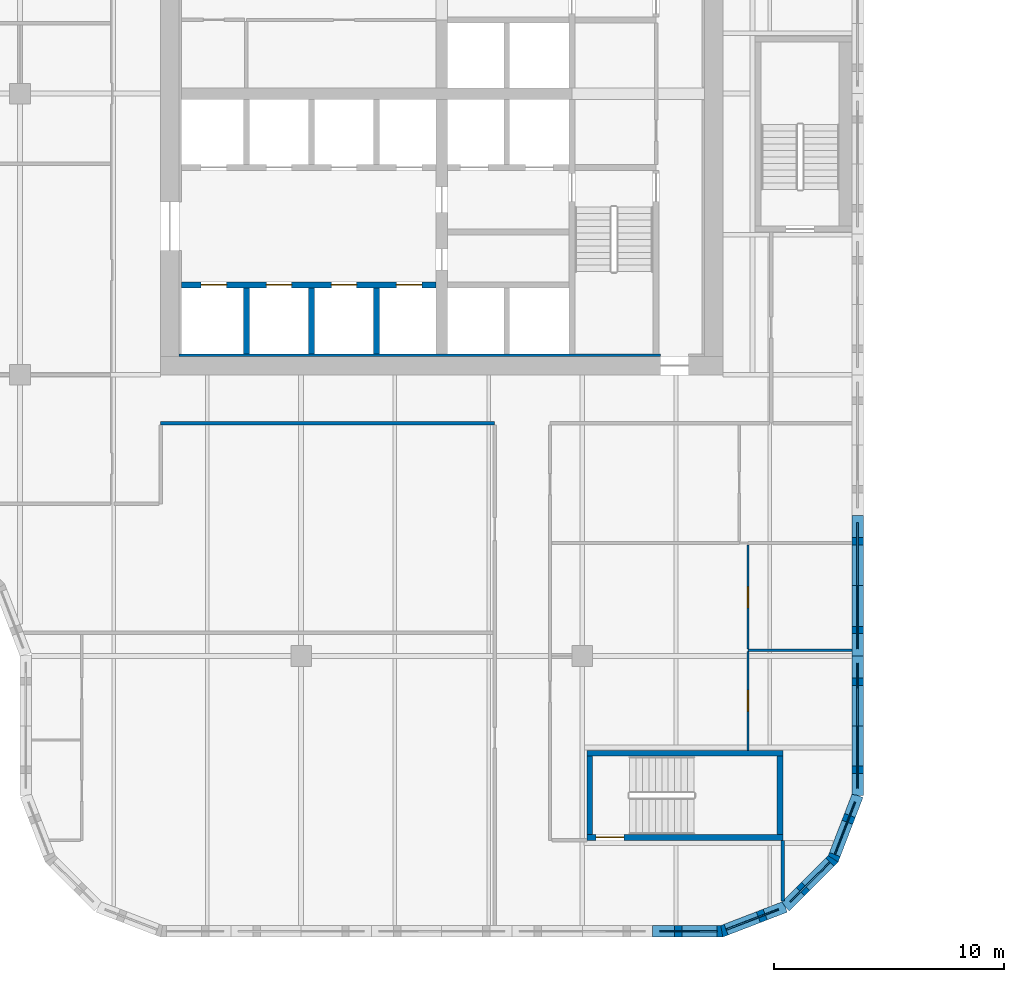
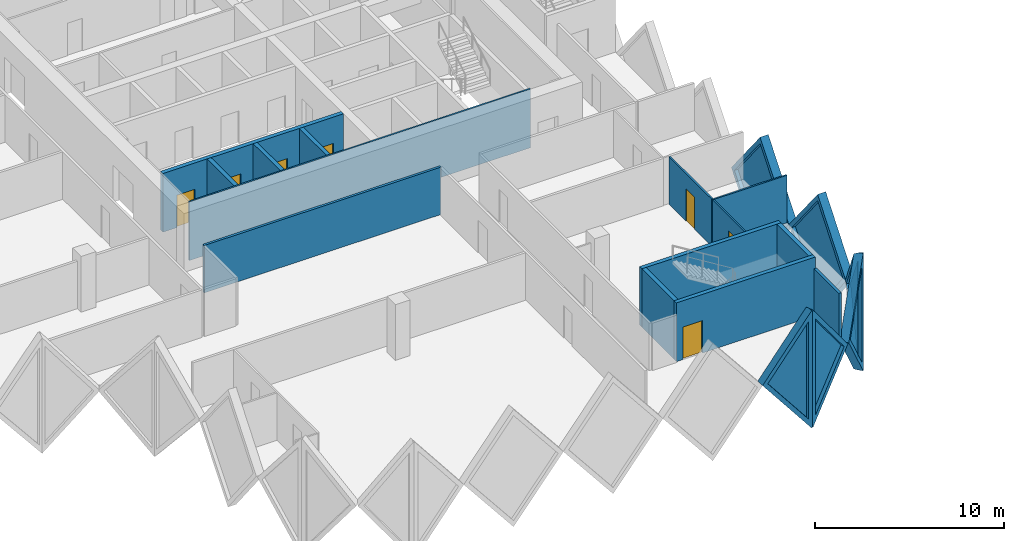
# One storey, part 6 of 19: 20 walls, 7 doors, 6 plates, 13 openings.
"""IFC4 building model written with IfcOpenShell, lengths in metres."""

from ifc_helpers import new_model, si_unit, direction, frame, frame_2d, origin, place, context, subcontext, project, spatial, polyline, rectangle, outline, extrude, faceted_brep, source, transform, mapped, material, layer, layer_set, type_object, element, fill, save


model = new_model("IFC4")

# Units and contexts
model_context = context("Model", 3, precision=1e-05, world=origin(), true_north=direction((0.0, 1.0)))
body_context = subcontext(model_context, "Body", "Model", "MODEL_VIEW")
ifc_project = project(units=[si_unit("LENGTHUNIT", "METRE"), si_unit("AREAUNIT", "SQUARE_METRE"), si_unit("VOLUMEUNIT", "CUBIC_METRE"), si_unit("PLANEANGLEUNIT", "RADIAN"), si_unit("MASSUNIT", "GRAM", prefix="KILO")], contexts=[model_context])

# Site, building, storey
site_placement = place(None, origin())
site = spatial("IfcSite", under=ifc_project, at=site_placement, CompositionType="ELEMENT")
building_placement = place(site_placement, origin())
building = spatial("IfcBuilding", under=site, at=building_placement, Name="Tessera Gate Towers", CompositionType="ELEMENT")
storey_placement = place(building_placement, frame((0.0, 0.0, 76.199951171875)))
storey = spatial("IfcBuildingStorey", under=building, at=storey_placement, Name="L18", CompositionType="ELEMENT", Elevation=76.199951171875)

# Wall, openings, doors
ifc_material_1 = material(Name="Concrete C40/50", Category="concrete")
ifc_layer_1 = layer(ifc_material_1, 0.25)
ifc_layer_set_1 = layer_set([ifc_layer_1], Name="CORE ENCLOSURE WALL 250")
wall_type_1 = type_object("IfcWallType", Name="CORE ENCLOSURE WALL 250", PredefinedType="SOLIDWALL", material=ifc_layer_set_1)
wall_1_placement = place(storey_placement, frame((31.39990234375, 28.300048828125, 0.0), z_axis=(0.0, 0.0, 1.0), x_axis=(1.0, 0.0, 0.0)))
wall_1 = element("IfcWall", 1, at=wall_1_placement, inside=storey, type_object=wall_type_1, Name="L18 shaft and stair enclosure wall", PredefinedType="SOLIDWALL", context=body_context, shape_type="SweptSolid", body=[
    extrude(rectangle(XDim=11.050048828125, YDim=0.25, at=frame_2d((5.52490234375, 0.0))), origin(), (0.0, 0.0, 1.0), 3.800048828125),
])
shared_shape_1 = source(origin(), body_context, "Body", "SweptSolid", [
    extrude(rectangle(XDim=1.10009765625, YDim=2.10009765625, at=frame_2d((0.550048828125, 1.050048828125))), frame((0.0, 0.135009765625, 0.0), z_axis=(0.0, -1.0, 0.0), x_axis=(1.0, 0.0, 0.0)), (0.0, 0.0, 1.0), 0.27001953125),
])
opening_1_placement = place(wall_1_placement, frame((0.862548828125, 0.0, 0.0)))
opening_1 = element("IfcOpeningElement", 2, at=opening_1_placement, cuts=wall_1, Name="Opening LD-LR1", PredefinedType="OPENING", context=body_context, shape_type="MappedRepresentation", body=[
    mapped(shared_shape_1, transform((0.0, 0.0, 0.0), scale=1.0)),
])
opening_2_placement = place(wall_1_placement, frame((3.6875, 0.0, 0.0)))
opening_2 = element("IfcOpeningElement", 3, at=opening_2_placement, cuts=wall_1, Name="Opening LD-LR2", PredefinedType="OPENING", context=body_context, shape_type="MappedRepresentation", body=[
    mapped(shared_shape_1, transform((0.0, 0.0, 0.0), scale=1.0)),
])
opening_3_placement = place(wall_1_placement, frame((6.512451171875, 0.0, 0.0)))
opening_3 = element("IfcOpeningElement", 4, at=opening_3_placement, cuts=wall_1, Name="Opening LD-LR3", PredefinedType="OPENING", context=body_context, shape_type="MappedRepresentation", body=[
    mapped(shared_shape_1, transform((0.0, 0.0, 0.0), scale=1.0)),
])
opening_4_placement = place(wall_1_placement, frame((9.33740234375, 0.0, 0.0)))
opening_4 = element("IfcOpeningElement", 5, at=opening_4_placement, cuts=wall_1, Name="Opening LD-LR4", PredefinedType="OPENING", context=body_context, shape_type="MappedRepresentation", body=[
    mapped(shared_shape_1, transform((0.0, 0.0, 0.0), scale=1.0)),
])
ifc_material_2 = material(Name="Stainless steel", Category="steel")
door_type_1 = type_object("IfcDoorType", Name="CORE DOOR LD 1100x2100", OperationType="DOUBLE_DOOR_SLIDING", PredefinedType="DOOR", material=ifc_material_2)
shared_shape_2 = source(origin(), body_context, "Body", "SweptSolid", [
    extrude(rectangle(XDim=1.10009765625, YDim=2.10009765625, at=frame_2d((0.550048828125, 1.050048828125))), frame((0.0, 0.02490234375, 0.0), z_axis=(0.0, -1.0, 0.0), x_axis=(1.0, 0.0, 0.0)), (0.0, 0.0, 1.0), 0.050048828125),
])
door_1_placement = place(opening_1_placement, origin())
door_1 = element("IfcDoor", 6, at=door_1_placement, inside=storey, type_object=door_type_1, Name="Landing door LR1 L18", OperationType="DOUBLE_DOOR_SLIDING", OverallHeight=2.10009765625, OverallWidth=1.10009765625, PredefinedType="DOOR", context=body_context, shape_type="MappedRepresentation", body=[
    mapped(shared_shape_2, transform((0.0, 0.0, 0.0), scale=1.0)),
])
fill(opening_1, door_1)
door_2_placement = place(opening_2_placement, origin())
door_2 = element("IfcDoor", 7, at=door_2_placement, inside=storey, type_object=door_type_1, Name="Landing door LR2 L18", OperationType="DOUBLE_DOOR_SLIDING", OverallHeight=2.10009765625, OverallWidth=1.10009765625, PredefinedType="DOOR", context=body_context, shape_type="MappedRepresentation", body=[
    mapped(shared_shape_2, transform((0.0, 0.0, 0.0), scale=1.0)),
])
fill(opening_2, door_2)
door_3_placement = place(opening_3_placement, origin())
door_3 = element("IfcDoor", 8, at=door_3_placement, inside=storey, type_object=door_type_1, Name="Landing door LR3 L18", OperationType="DOUBLE_DOOR_SLIDING", OverallHeight=2.10009765625, OverallWidth=1.10009765625, PredefinedType="DOOR", context=body_context, shape_type="MappedRepresentation", body=[
    mapped(shared_shape_2, transform((0.0, 0.0, 0.0), scale=1.0)),
])
fill(opening_3, door_3)
door_4_placement = place(opening_4_placement, origin())
door_4 = element("IfcDoor", 9, at=door_4_placement, inside=storey, type_object=door_type_1, Name="Landing door LR4 L18", OperationType="DOUBLE_DOOR_SLIDING", OverallHeight=2.10009765625, OverallWidth=1.10009765625, PredefinedType="DOOR", context=body_context, shape_type="MappedRepresentation", body=[
    mapped(shared_shape_2, transform((0.0, 0.0, 0.0), scale=1.0)),
])
fill(opening_4, door_4)

# Walls
for number, where, z_axis, x_axis, name in (
    (10, (34.22509765625, 25.300048828125, 0.0), (0.0, 0.0, 1.0), (0.0, 1.0, 0.0), "L18 shaft and stair enclosure wall"),
    (11, (37.050048828125, 25.300048828125, 0.0), (0.0, 0.0, 1.0), (0.0, 1.0, 0.0), "L18 shaft and stair enclosure wall"),
    (12, (39.875, 25.300048828125, 0.0), (0.0, 0.0, 1.0), (0.0, 1.0, 0.0), "L18 shaft and stair enclosure wall"),
):
    element("IfcWall", number, at=place(storey_placement, frame(where, z_axis=z_axis, x_axis=x_axis)), inside=storey, type_object=wall_type_1, Name=name, PredefinedType="SOLIDWALL", context=body_context, shape_type="SweptSolid", body=[
        extrude(rectangle(XDim=2.875, YDim=0.25, at=frame_2d((1.4375, 0.0))), origin(), (0.0, 0.0, 1.0), 3.800048828125),
    ])

# Wall, opening, door
wall_2_placement = place(storey_placement, frame((57.5, 4.324951171875, 0.0), z_axis=(0.0, 0.0, 1.0), x_axis=(-1.0, 0.0, 0.0)))
wall_2 = element("IfcWall", 13, at=wall_2_placement, inside=storey, type_object=wall_type_1, Name="L18 ST4 enclosure wall", PredefinedType="SOLIDWALL", context=body_context, shape_type="SweptSolid", body=[
    extrude(rectangle(XDim=8.5, YDim=0.25, at=frame_2d((4.25, 0.0))), origin(), (0.0, 0.0, 1.0), 3.800048828125),
])
shared_shape_3 = source(origin(), body_context, "Body", "SweptSolid", [
    extrude(rectangle(XDim=1.199951171875, YDim=2.10009765625, at=frame_2d((0.60009765625, 1.050048828125))), frame((0.0, 0.135009765625, 0.0), z_axis=(0.0, -1.0, 0.0), x_axis=(1.0, 0.0, 0.0)), (0.0, 0.0, 1.0), 0.27001953125),
])
opening_5_placement = place(wall_2_placement, frame((6.89990234375, 0.0, 0.0)))
opening_5 = element("IfcOpeningElement", 14, at=opening_5_placement, cuts=wall_2, Name="Opening SD-ST4-1", PredefinedType="OPENING", context=body_context, shape_type="MappedRepresentation", body=[
    mapped(shared_shape_3, transform((0.0, 0.0, 0.0), scale=1.0)),
])
ifc_material_3 = material(Name="Hollow steel fire door", Category="steel")
door_type_2 = type_object("IfcDoorType", Name="CORE DOOR SD 1200x2100", OperationType="NOTDEFINED", PredefinedType="DOOR", material=ifc_material_3)
shared_shape_4 = source(origin(), body_context, "Body", "SweptSolid", [
    extrude(rectangle(XDim=1.199951171875, YDim=2.10009765625, at=frame_2d((0.60009765625, 1.050048828125))), frame((0.0, 0.02490234375, 0.0), z_axis=(0.0, -1.0, 0.0), x_axis=(1.0, 0.0, 0.0)), (0.0, 0.0, 1.0), 0.050048828125),
])
door_5_placement = place(opening_5_placement, origin())
door_5 = element("IfcDoor", 15, at=door_5_placement, inside=storey, type_object=door_type_2, Name="Stair door", OperationType="SINGLE_SWING_RIGHT", OverallHeight=2.10009765625, OverallWidth=1.199951171875, PredefinedType="DOOR", context=body_context, shape_type="MappedRepresentation", body=[
    mapped(shared_shape_4, transform((0.0, 0.0, 0.0), scale=1.0)),
])
fill(opening_5, door_5)

# Walls
wall_3_placement = place(storey_placement, frame((49.125, 4.449951171875, 0.0), z_axis=(0.0, 0.0, 1.0), x_axis=(0.0, 1.0, 0.0)))
element("IfcWall", 16, at=wall_3_placement, inside=storey, type_object=wall_type_1, Name="L18 ST4 enclosure wall", PredefinedType="SOLIDWALL", context=body_context, shape_type="SweptSolid", body=[
    extrude(rectangle(XDim=3.400146484375, YDim=0.25, at=frame_2d((1.7001953125, 0.0))), origin(), (0.0, 0.0, 1.0), 3.800048828125),
])
wall_4_placement = place(storey_placement, frame((49.0, 7.97509765625, 0.0), z_axis=(0.0, 0.0, 1.0), x_axis=(1.0, 0.0, 0.0)))
element("IfcWall", 17, at=wall_4_placement, inside=storey, type_object=wall_type_1, Name="L18 ST4 enclosure wall", PredefinedType="SOLIDWALL", context=body_context, shape_type="SweptSolid", body=[
    extrude(rectangle(XDim=8.5, YDim=0.25, at=frame_2d((4.25, 0.0))), origin(), (0.0, 0.0, 1.0), 3.800048828125),
])
wall_5_placement = place(storey_placement, frame((57.375, 7.85009765625, 0.0), z_axis=(0.0, 0.0, 1.0), x_axis=(0.0, -1.0, 0.0)))
element("IfcWall", 18, at=wall_5_placement, inside=storey, type_object=wall_type_1, Name="L18 ST4 enclosure wall", PredefinedType="SOLIDWALL", context=body_context, shape_type="SweptSolid", body=[
    extrude(rectangle(XDim=3.400146484375, YDim=0.25, at=frame_2d((1.7001953125, 0.0))), origin(), (0.0, 0.0, 1.0), 3.800048828125),
])
ifc_material_4 = material(Name="Concrete C60/75", Category="concrete")
ifc_layer_2 = layer(ifc_material_4, 0.10009765625)
ifc_layer_set_2 = layer_set([ifc_layer_2], Name="CORE WALL THICKENING 100")
wall_type_2 = type_object("IfcWallType", Name="CORE WALL THICKENING 100", PredefinedType="SOLIDWALL", material=ifc_layer_set_2)
wall_6_placement = place(storey_placement, frame((31.300048828125, 25.25, 0.0), z_axis=(0.0, 0.0, 1.0), x_axis=(1.0, 0.0, 0.0)))
element("IfcWall", 19, at=wall_6_placement, inside=storey, type_object=wall_type_2, Name="Core wall thickening S L18", PredefinedType="SOLIDWALL", context=body_context, shape_type="SweptSolid", body=[
    extrude(rectangle(XDim=20.89990234375, YDim=0.10009765625, at=frame_2d((10.449951171875, 0.0))), origin(), (0.0, 0.0, 1.0), 3.800048828125),
])
ifc_material_5 = material(Name="Gypsum board on steel studs, mineral wool", Category="steel")
ifc_layer_3 = layer(ifc_material_5, 0.14990234375)
ifc_layer_set_3 = layer_set([ifc_layer_3], Name="CORRIDOR WALL 150")
wall_type_3 = type_object("IfcWallType", Name="CORRIDOR WALL 150", PredefinedType="PARTITIONING", material=ifc_layer_set_3)
wall_7_placement = place(storey_placement, frame((57.5, 1.55908203125, 0.0), z_axis=(0.0, 0.0, 1.0), x_axis=(0.0, 1.0, 0.0)))
element("IfcWall", 20, at=wall_7_placement, inside=storey, type_object=wall_type_3, Name="T1-L18-PW-002", PredefinedType="PARTITIONING", context=body_context, shape_type="SweptSolid", body=[
    extrude(rectangle(XDim=2.640869140625, YDim=0.14990234375, at=frame_2d((1.3203125, 0.0))), origin(), (0.0, 0.0, 1.0), 3.067138671875),
])
wall_8_placement = place(storey_placement, frame((30.5, 22.300048828125, 0.0), z_axis=(0.0, 0.0, 1.0), x_axis=(1.0, 0.0, 0.0)))
element("IfcWall", 21, at=wall_8_placement, inside=storey, type_object=wall_type_3, Name="T1-L18-PW-022", PredefinedType="PARTITIONING", context=body_context, shape_type="SweptSolid", body=[
    extrude(rectangle(XDim=14.5, YDim=0.14990234375, at=frame_2d((7.25, 0.0))), origin(), (0.0, 0.0, 1.0), 3.067138671875),
])

# Wall, opening, door
ifc_material_6 = material(Name="Glass", Category="glass")
ifc_layer_4 = layer(ifc_material_6, 0.10009765625)
ifc_layer_set_4 = layer_set([ifc_layer_4], Name="GLAZED PARTITION 100")
wall_type_4 = type_object("IfcWallType", Name="GLAZED PARTITION 100", PredefinedType="PARTITIONING", material=ifc_layer_set_4)
wall_9_placement = place(storey_placement, frame((55.989990234375, 12.396728515625, 0.0), z_axis=(0.0, 0.0, 1.0), x_axis=(0.0, -1.0, 0.0)))
wall_9 = element("IfcWall", 22, at=wall_9_placement, inside=storey, type_object=wall_type_4, Name="T1-L18-PW-007", PredefinedType="PARTITIONING", context=body_context, shape_type="SweptSolid", body=[
    extrude(rectangle(XDim=4.296630859375, YDim=0.10009765625, at=frame_2d((2.1484375, 0.0))), origin(), (0.0, 0.0, 1.0), 3.067138671875),
])
shared_shape_5 = source(origin(), body_context, "Body", "SweptSolid", [
    extrude(rectangle(XDim=0.89990234375, YDim=2.10009765625, at=frame_2d((0.449951171875, 1.050048828125))), frame((0.0, 0.06005859375, 0.0), z_axis=(0.0, -1.0, 0.0), x_axis=(1.0, 0.0, 0.0)), (0.0, 0.0, 1.0), 0.1201171875),
])
opening_6_placement = place(wall_9_placement, frame((1.69677734375, 0.0, 0.0)))
opening_6 = element("IfcOpeningElement", 23, at=opening_6_placement, cuts=wall_9, Name="Opening D690-A06-01", PredefinedType="OPENING", context=body_context, shape_type="MappedRepresentation", body=[
    mapped(shared_shape_5, transform((0.0, 0.0, 0.0), scale=1.0)),
])
ifc_material_7 = material(Name="Glass in aluminium frame", Category="aluminium")
door_type_3 = type_object("IfcDoorType", Name="GLAZED DOOR 900 NOT RATED", OperationType="NOTDEFINED", PredefinedType="DOOR", material=ifc_material_7)
shared_shape_6 = source(origin(), body_context, "Body", "SweptSolid", [
    extrude(rectangle(XDim=0.89990234375, YDim=2.10009765625, at=frame_2d((0.449951171875, 1.050048828125))), frame((0.0, 0.02490234375, 0.0), z_axis=(0.0, -1.0, 0.0), x_axis=(1.0, 0.0, 0.0)), (0.0, 0.0, 1.0), 0.050048828125),
])
door_6_placement = place(opening_6_placement, origin())
door_6 = element("IfcDoor", 24, at=door_6_placement, inside=storey, type_object=door_type_3, Name="T1-L18-PD-004", OperationType="SINGLE_SWING_RIGHT", OverallHeight=2.10009765625, OverallWidth=0.89990234375, PredefinedType="DOOR", context=body_context, shape_type="MappedRepresentation", body=[
    mapped(shared_shape_6, transform((0.0, 0.0, 0.0), scale=1.0)),
])
fill(opening_6, door_6)

wall_10_placement = place(storey_placement, frame((55.989990234375, 17.02392578125, 0.0), z_axis=(0.0, 0.0, 1.0), x_axis=(0.0, -1.0, 0.0)))
wall_10 = element("IfcWall", 25, at=wall_10_placement, inside=storey, type_object=wall_type_4, Name="T1-L18-PW-011", PredefinedType="PARTITIONING", context=body_context, shape_type="SweptSolid", body=[
    extrude(rectangle(XDim=4.525146484375, YDim=0.10009765625, at=frame_2d((2.2626953125, 0.0))), origin(), (0.0, 0.0, 1.0), 3.067138671875),
])
opening_7_placement = place(wall_10_placement, frame((1.8251953125, 0.0, 0.0)))
opening_7 = element("IfcOpeningElement", 26, at=opening_7_placement, cuts=wall_10, Name="Opening D690-A06-02", PredefinedType="OPENING", context=body_context, shape_type="MappedRepresentation", body=[
    mapped(shared_shape_5, transform((0.0, 0.0, 0.0), scale=1.0)),
])
door_7_placement = place(opening_7_placement, origin())
door_7 = element("IfcDoor", 27, at=door_7_placement, inside=storey, type_object=door_type_3, Name="T1-L18-PD-006", OperationType="SINGLE_SWING_RIGHT", OverallHeight=2.10009765625, OverallWidth=0.89990234375, PredefinedType="DOOR", context=body_context, shape_type="MappedRepresentation", body=[
    mapped(shared_shape_6, transform((0.0, 0.0, 0.0), scale=1.0)),
])
fill(opening_7, door_7)

# Wall
ifc_material_8 = material(Name="Gypsum board on steel studs", Category="steel")
ifc_layer_5 = layer(ifc_material_8, 0.10009765625)
ifc_layer_set_5 = layer_set([ifc_layer_5], Name="PARTITION 100")
wall_type_5 = type_object("IfcWallType", Name="PARTITION 100", PredefinedType="PARTITIONING", material=ifc_layer_set_5)
wall_11_placement = place(storey_placement, frame((55.989990234375, 12.447998046875, 0.0), z_axis=(0.0, 0.0, 1.0), x_axis=(1.0, 0.0, 0.0)))
element("IfcWall", 28, at=wall_11_placement, inside=storey, type_object=wall_type_5, Name="T1-L18-PW-010", PredefinedType="PARTITIONING", context=body_context, shape_type="SweptSolid", body=[
    extrude(rectangle(XDim=4.510009765625, YDim=0.10009765625, at=frame_2d((2.2548828125, 0.0))), origin(), (0.0, 0.0, 1.0), 3.067138671875),
])

# Wall, opening, plate
ifc_material_9 = material(Name="Precast concrete C60/75 white", Category="concrete")
ifc_layer_6 = layer(ifc_material_9, 0.5)
ifc_layer_set_6 = layer_set([ifc_layer_6], Name="TS1 tessera")
wall_type_6 = type_object("IfcWallType", Name="TS1 tessera", PredefinedType="SOLIDWALL", material=ifc_layer_set_6)
shared_shape_7 = source(origin(), body_context, "Body", "Brep", [
    faceted_brep([(3.00341796875, -0.25, 0.0), (6.053466796875, -0.25, 3.800048828125), (3.00341796875, -0.25, 7.60009765625), (0.0, -0.25, 3.800048828125), (0.046630859375, 0.25, 3.85888671875), (3.00341796875, 0.25, 7.60009765625), (6.053466796875, 0.25, 3.800048828125), (3.00341796875, 0.25, 0.0), (0.046630859375, 0.25, 3.7412109375), (0.0, 0.0, 3.800048828125)], [[[0, 1, 2, 3]], [[4, 5, 6, 7, 8]], [[7, 6, 1, 0]], [[6, 5, 2, 1]], [[5, 4, 9, 3, 2]], [[8, 7, 0, 3, 9]], [[8, 9, 4]]]),
])
wall_12_placement = place(storey_placement, frame((60.75, 6.146484375, -3.800048828125), z_axis=(0.0, 0.0, 1.0), x_axis=(0.0, 1.0, 0.0)))
wall_12 = element("IfcWall", 29, at=wall_12_placement, inside=storey, type_object=wall_type_6, Name="Precast tessera T1 TS1-0256", PredefinedType="SOLIDWALL", context=body_context, shape_type="MappedRepresentation", body=[
    mapped(shared_shape_7, transform((0.0, 0.0, 0.0), scale=1.0)),
])
shared_shape_8 = source(origin(), body_context, "Body", "SweptSolid", [
    extrude(outline(polyline([(3.0048828125, 0.4013671875), (5.73291015625, 3.800048828125), (3.0048828125, 7.19873046875), (0.318603515625, 3.800048828125), (3.0048828125, 0.4013671875)])), frame((0.0, 0.260009765625, 0.0), z_axis=(0.0, -1.0, 0.0), x_axis=(1.0, 0.0, 0.0)), (0.0, 0.0, 1.0), 0.52001953125),
])
opening_8_placement = place(wall_12_placement, origin())
opening_8 = element("IfcOpeningElement", 30, at=opening_8_placement, cuts=wall_12, Name="Opening T1-PL2-0526", PredefinedType="OPENING", context=body_context, shape_type="MappedRepresentation", body=[
    mapped(shared_shape_8, transform((0.0, 0.0, 0.0), scale=1.0)),
])
ifc_material_10 = material(Name="Low-e laminated glass", Category="glass")
ifc_layer_7 = layer(ifc_material_10, 0.06005859375)
ifc_layer_set_7 = layer_set([ifc_layer_7], Name="PL2 rhombic pane")
plate_type = type_object("IfcPlateType", Name="PL2 rhombic pane", PredefinedType="SHEET", material=ifc_layer_set_7)
shared_shape_9 = source(origin(), body_context, "Body", "SweptSolid", [
    extrude(outline(polyline([(3.0048828125, 0.4013671875), (5.73291015625, 3.800048828125), (3.0048828125, 7.19873046875), (0.318603515625, 3.800048828125), (3.0048828125, 0.4013671875)])), frame((0.0, 0.030029296875, 0.0), z_axis=(0.0, -1.0, 0.0), x_axis=(1.0, 0.0, 0.0)), (0.0, 0.0, 1.0), 0.06005859375),
])
plate_1_placement = place(opening_8_placement, origin())
plate_1 = element("IfcPlate", 31, at=plate_1_placement, inside=storey, type_object=plate_type, Name="Glass pane T1 PL2-0526", PredefinedType="SHEET", context=body_context, shape_type="MappedRepresentation", body=[
    mapped(shared_shape_9, transform((0.0, 0.0, 0.0), scale=1.0)),
])
fill(opening_8, plate_1)

shared_shape_10 = source(origin(), body_context, "Body", "SweptSolid", [
    extrude(outline(polyline([(3.050048828125, 0.0), (6.10009765625, 3.800048828125), (3.050048828125, 7.60009765625), (0.0, 3.800048828125), (3.050048828125, 0.0)])), frame((0.0, 0.25, 0.0), z_axis=(0.0, -1.0, 0.0), x_axis=(1.0, 0.0, 0.0)), (0.0, 0.0, 1.0), 0.5),
])
wall_13_placement = place(storey_placement, frame((60.75, 12.199951171875, -3.800048828125), z_axis=(0.0, 0.0, 1.0), x_axis=(0.0, 1.0, 0.0)))
wall_13 = element("IfcWall", 32, at=wall_13_placement, inside=storey, type_object=wall_type_6, Name="Precast tessera T1 TS1-0257", PredefinedType="SOLIDWALL", context=body_context, shape_type="MappedRepresentation", body=[
    mapped(shared_shape_10, transform((0.0, 0.0, 0.0), scale=1.0)),
])
shared_shape_11 = source(origin(), body_context, "Body", "SweptSolid", [
    extrude(outline(polyline([(3.050048828125, 0.3994140625), (5.779541015625, 3.800048828125), (3.050048828125, 7.20068359375), (0.320556640625, 3.800048828125), (3.050048828125, 0.3994140625)])), frame((0.0, 0.260009765625, 0.0), z_axis=(0.0, -1.0, 0.0), x_axis=(1.0, 0.0, 0.0)), (0.0, 0.0, 1.0), 0.52001953125),
])
opening_9_placement = place(wall_13_placement, origin())
opening_9 = element("IfcOpeningElement", 33, at=opening_9_placement, cuts=wall_13, Name="Opening T1-PL2-0527", PredefinedType="OPENING", context=body_context, shape_type="MappedRepresentation", body=[
    mapped(shared_shape_11, transform((0.0, 0.0, 0.0), scale=1.0)),
])
shared_shape_12 = source(origin(), body_context, "Body", "SweptSolid", [
    extrude(outline(polyline([(3.050048828125, 0.3994140625), (5.779541015625, 3.800048828125), (3.050048828125, 7.20068359375), (0.320556640625, 3.800048828125), (3.050048828125, 0.3994140625)])), frame((0.0, 0.030029296875, 0.0), z_axis=(0.0, -1.0, 0.0), x_axis=(1.0, 0.0, 0.0)), (0.0, 0.0, 1.0), 0.06005859375),
])
plate_2_placement = place(opening_9_placement, origin())
plate_2 = element("IfcPlate", 34, at=plate_2_placement, inside=storey, type_object=plate_type, Name="Glass pane T1 PL2-0527", PredefinedType="SHEET", context=body_context, shape_type="MappedRepresentation", body=[
    mapped(shared_shape_12, transform((0.0, 0.0, 0.0), scale=1.0)),
])
fill(opening_9, plate_2)

ifc_material_11 = material(Name="Precast concrete C60/75 white", Category="concrete")
ifc_layer_8 = layer(ifc_material_11, 0.5)
ifc_layer_set_8 = layer_set([ifc_layer_8], Name="TS3 corner tessera")
wall_type_7 = type_object("IfcWallType", Name="TS3 corner tessera", PredefinedType="SOLIDWALL", material=ifc_layer_set_8)
shared_shape_13 = source(origin(), body_context, "Body", "Brep", [
    faceted_brep([(3.00341796875, -0.25, 0.0), (3.050048828125, -0.25, 0.06005859375), (3.050048828125, -0.25, 7.5400390625), (3.00341796875, -0.25, 7.60009765625), (0.0, -0.25, 3.800048828125), (0.0, 0.25, 3.800048828125), (2.956787109375, 0.25, 7.541259765625), (2.956787109375, 0.25, 0.058837890625), (3.00341796875, 0.000244140625, 0.0), (3.00341796875, 0.000244140625, 7.60009765625)], [[[0, 1, 2, 3, 4]], [[5, 6, 7]], [[1, 0, 8]], [[9, 3, 2]], [[6, 5, 4, 3, 9]], [[5, 7, 8, 0, 4]], [[1, 8, 7, 6, 9, 2]]]),
])
wall_14_placement = place(storey_placement, frame((51.85009765625, 0.25, -3.800048828125), z_axis=(0.0, 0.0, 1.0), x_axis=(1.0, 0.0, 0.0)))
wall_14 = element("IfcWall", 35, at=wall_14_placement, inside=storey, type_object=wall_type_7, Name="Precast corner tessera T1 TS3-0387", PredefinedType="SOLIDWALL", context=body_context, shape_type="MappedRepresentation", body=[
    mapped(shared_shape_13, transform((0.0, 0.0, 0.0), scale=1.0)),
])
shared_shape_14 = source(origin(), body_context, "Body", "SweptSolid", [
    extrude(outline(polyline([(2.803466796875, 6.94384765625), (0.318603515625, 3.800048828125), (2.803466796875, 0.65625), (2.803466796875, 6.94384765625)])), frame((0.0, 0.260009765625, 0.0), z_axis=(0.0, -1.0, 0.0), x_axis=(1.0, 0.0, 0.0)), (0.0, 0.0, 1.0), 0.52001953125),
])
opening_10_placement = place(wall_14_placement, origin())
opening_10 = element("IfcOpeningElement", 36, at=opening_10_placement, cuts=wall_14, Name="Opening T1-PL2-0522", PredefinedType="OPENING", context=body_context, shape_type="MappedRepresentation", body=[
    mapped(shared_shape_14, transform((0.0, 0.0, 0.0), scale=1.0)),
])
shared_shape_15 = source(origin(), body_context, "Body", "SweptSolid", [
    extrude(outline(polyline([(2.803466796875, 6.94384765625), (0.318603515625, 3.800048828125), (2.803466796875, 0.65625), (2.803466796875, 6.94384765625)])), frame((0.0, 0.030029296875, 0.0), z_axis=(0.0, -1.0, 0.0), x_axis=(1.0, 0.0, 0.0)), (0.0, 0.0, 1.0), 0.06005859375),
])
plate_3_placement = place(opening_10_placement, origin())
plate_3 = element("IfcPlate", 37, at=plate_3_placement, inside=storey, type_object=plate_type, Name="Glass pane T1 PL2-0522", PredefinedType="SHEET", context=body_context, shape_type="MappedRepresentation", body=[
    mapped(shared_shape_15, transform((0.0, 0.0, 0.0), scale=1.0)),
])
fill(opening_10, plate_3)

shared_shape_16 = source(origin(), body_context, "Body", "Brep", [
    faceted_brep([(0.046630859375, -0.25, 0.0), (2.9970703125, -0.25, 3.800048828125), (0.046630859375, -0.25, 7.60009765625), (0.0, -0.25, 7.541259765625), (0.0, -0.25, 0.058837890625), (0.09326171875, 0.25, 7.5400390625), (2.9443359375, 0.25, 3.8681640625), (2.9443359375, 0.25, 3.73193359375), (0.09326171875, 0.25, 0.06005859375), (2.9970703125, 0.00048828125, 3.800048828125), (0.046630859375, 0.0, 0.0), (0.046630859375, 0.0, 7.60009765625)], [[[0, 1, 2, 3, 4]], [[5, 6, 7, 8]], [[8, 7, 9, 1, 0, 10]], [[6, 5, 11, 2, 1, 9]], [[3, 2, 11]], [[10, 0, 4]], [[8, 10, 4, 3, 11, 5]], [[9, 7, 6]]]),
])
wall_15_placement = place(storey_placement, frame((54.81005859375, 0.233154296875, -3.800048828125), z_axis=(0.0, 0.0, 1.0), x_axis=(0.932990326376, 0.359901446078, 0.0)))
wall_15 = element("IfcWall", 38, at=wall_15_placement, inside=storey, type_object=wall_type_7, Name="Precast corner tessera T1 TS3-0388", PredefinedType="SOLIDWALL", context=body_context, shape_type="MappedRepresentation", body=[
    mapped(shared_shape_16, transform((0.0, 0.0, 0.0), scale=1.0)),
])
shared_shape_17 = source(origin(), body_context, "Body", "SweptSolid", [
    extrude(outline(polyline([(0.24658203125, 0.665283203125), (2.6806640625, 3.800048828125), (0.24658203125, 6.934814453125), (0.24658203125, 0.665283203125)])), frame((0.0, 0.260009765625, 0.0), z_axis=(0.0, -1.0, 0.0), x_axis=(1.0, 0.0, 0.0)), (0.0, 0.0, 1.0), 0.52001953125),
])
opening_11_placement = place(wall_15_placement, origin())
opening_11 = element("IfcOpeningElement", 39, at=opening_11_placement, cuts=wall_15, Name="Opening T1-PL2-0523", PredefinedType="OPENING", context=body_context, shape_type="MappedRepresentation", body=[
    mapped(shared_shape_17, transform((0.0, 0.0, 0.0), scale=1.0)),
])
shared_shape_18 = source(origin(), body_context, "Body", "SweptSolid", [
    extrude(outline(polyline([(0.24658203125, 0.665283203125), (2.6806640625, 3.800048828125), (0.24658203125, 6.934814453125), (0.24658203125, 0.665283203125)])), frame((0.0, 0.030029296875, 0.0), z_axis=(0.0, -1.0, 0.0), x_axis=(1.0, 0.0, 0.0)), (0.0, 0.0, 1.0), 0.06005859375),
])
plate_4_placement = place(opening_11_placement, origin())
plate_4 = element("IfcPlate", 40, at=plate_4_placement, inside=storey, type_object=plate_type, Name="Glass pane T1 PL2-0523", PredefinedType="SHEET", context=body_context, shape_type="MappedRepresentation", body=[
    mapped(shared_shape_18, transform((0.0, 0.0, 0.0), scale=1.0)),
])
fill(opening_11, plate_4)

shared_shape_19 = source(origin(), body_context, "Body", "Brep", [
    faceted_brep([(2.944091796875, -0.25, 0.0), (2.9970703125, -0.25, 0.068115234375), (2.9970703125, -0.25, 7.531982421875), (2.944091796875, -0.25, 7.60009765625), (0.0, -0.25, 3.800048828125), (0.052978515625, 0.25, 3.868408203125), (2.89111328125, 0.25, 7.531982421875), (2.89111328125, 0.25, 0.068115234375), (0.052978515625, 0.25, 3.731689453125), (2.944091796875, 0.000244140625, 0.0), (2.944091796875, 0.000244140625, 7.60009765625), (0.0, 0.0, 3.800048828125)], [[[0, 1, 2, 3, 4]], [[5, 6, 7, 8]], [[1, 0, 9]], [[10, 3, 2]], [[6, 5, 11, 4, 3, 10]], [[8, 7, 9, 0, 4, 11]], [[8, 11, 5]], [[1, 9, 7, 6, 10, 2]]]),
])
wall_16_placement = place(storey_placement, frame((57.606201171875, 1.31201171875, -3.800048828125), z_axis=(0.0, 0.0, 1.0), x_axis=(0.707147509625, 0.707066050402, 0.0)))
wall_16 = element("IfcWall", 41, at=wall_16_placement, inside=storey, type_object=wall_type_7, Name="Precast corner tessera T1 TS3-0389", PredefinedType="SOLIDWALL", context=body_context, shape_type="MappedRepresentation", body=[
    mapped(shared_shape_19, transform((0.0, 0.0, 0.0), scale=1.0)),
])
shared_shape_20 = source(origin(), body_context, "Body", "SweptSolid", [
    extrude(outline(polyline([(2.744140625, 6.933837890625), (0.316162109375, 3.800048828125), (2.744140625, 0.66650390625), (2.744140625, 6.933837890625)])), frame((0.0, 0.260009765625, 0.0), z_axis=(0.0, -1.0, 0.0), x_axis=(1.0, 0.0, 0.0)), (0.0, 0.0, 1.0), 0.52001953125),
])
opening_12_placement = place(wall_16_placement, origin())
opening_12 = element("IfcOpeningElement", 42, at=opening_12_placement, cuts=wall_16, Name="Opening T1-PL2-0524", PredefinedType="OPENING", context=body_context, shape_type="MappedRepresentation", body=[
    mapped(shared_shape_20, transform((0.0, 0.0, 0.0), scale=1.0)),
])
shared_shape_21 = source(origin(), body_context, "Body", "SweptSolid", [
    extrude(outline(polyline([(2.744140625, 6.933837890625), (0.316162109375, 3.800048828125), (2.744140625, 0.66650390625), (2.744140625, 6.933837890625)])), frame((0.0, 0.030029296875, 0.0), z_axis=(0.0, -1.0, 0.0), x_axis=(1.0, 0.0, 0.0)), (0.0, 0.0, 1.0), 0.06005859375),
])
plate_5_placement = place(opening_12_placement, origin())
plate_5 = element("IfcPlate", 43, at=plate_5_placement, inside=storey, type_object=plate_type, Name="Glass pane T1 PL2-0524", PredefinedType="SHEET", context=body_context, shape_type="MappedRepresentation", body=[
    mapped(shared_shape_21, transform((0.0, 0.0, 0.0), scale=1.0)),
])
fill(opening_12, plate_5)

shared_shape_22 = source(origin(), body_context, "Body", "Brep", [
    faceted_brep([(0.052978515625, -0.25, 0.0), (3.00341796875, -0.25, 3.800048828125), (0.052978515625, -0.25, 7.60009765625), (0.0, -0.25, 7.53173828125), (0.0, -0.25, 0.068359375), (0.10595703125, 0.25, 7.531982421875), (2.95703125, 0.25, 3.85986328125), (2.95703125, 0.25, 3.740234375), (0.10595703125, 0.25, 0.068115234375), (3.00341796875, 0.00048828125, 3.800048828125), (0.052978515625, 0.0, 0.0), (0.052978515625, 0.0, 7.60009765625)], [[[0, 1, 2, 3, 4]], [[5, 6, 7, 8]], [[8, 7, 9, 1, 0, 10]], [[6, 5, 11, 2, 1, 9]], [[3, 2, 11]], [[10, 0, 4]], [[8, 10, 4, 3, 11, 5]], [[9, 7, 6]]]),
])
wall_17_placement = place(storey_placement, frame((59.6689453125, 3.34423828125, -3.800048828125), z_axis=(0.0, 0.0, 1.0), x_axis=(0.35992665181, 0.932980602862, 0.0)))
wall_17 = element("IfcWall", 44, at=wall_17_placement, inside=storey, type_object=wall_type_7, Name="Precast corner tessera T1 TS3-0390", PredefinedType="SOLIDWALL", context=body_context, shape_type="MappedRepresentation", body=[
    mapped(shared_shape_22, transform((0.0, 0.0, 0.0), scale=1.0)),
])
shared_shape_23 = source(origin(), body_context, "Body", "SweptSolid", [
    extrude(outline(polyline([(0.2529296875, 0.665283203125), (2.68701171875, 3.800048828125), (0.2529296875, 6.934814453125), (0.2529296875, 0.665283203125)])), frame((0.0, 0.260009765625, 0.0), z_axis=(0.0, -1.0, 0.0), x_axis=(1.0, 0.0, 0.0)), (0.0, 0.0, 1.0), 0.52001953125),
])
opening_13_placement = place(wall_17_placement, origin())
opening_13 = element("IfcOpeningElement", 45, at=opening_13_placement, cuts=wall_17, Name="Opening T1-PL2-0525", PredefinedType="OPENING", context=body_context, shape_type="MappedRepresentation", body=[
    mapped(shared_shape_23, transform((0.0, 0.0, 0.0), scale=1.0)),
])
shared_shape_24 = source(origin(), body_context, "Body", "SweptSolid", [
    extrude(outline(polyline([(0.2529296875, 0.665283203125), (2.68701171875, 3.800048828125), (0.2529296875, 6.934814453125), (0.2529296875, 0.665283203125)])), frame((0.0, 0.030029296875, 0.0), z_axis=(0.0, -1.0, 0.0), x_axis=(1.0, 0.0, 0.0)), (0.0, 0.0, 1.0), 0.06005859375),
])
plate_6_placement = place(opening_13_placement, origin())
plate_6 = element("IfcPlate", 46, at=plate_6_placement, inside=storey, type_object=plate_type, Name="Glass pane T1 PL2-0525", PredefinedType="SHEET", context=body_context, shape_type="MappedRepresentation", body=[
    mapped(shared_shape_24, transform((0.0, 0.0, 0.0), scale=1.0)),
])
fill(opening_13, plate_6)

save(model, "model.ifc")
